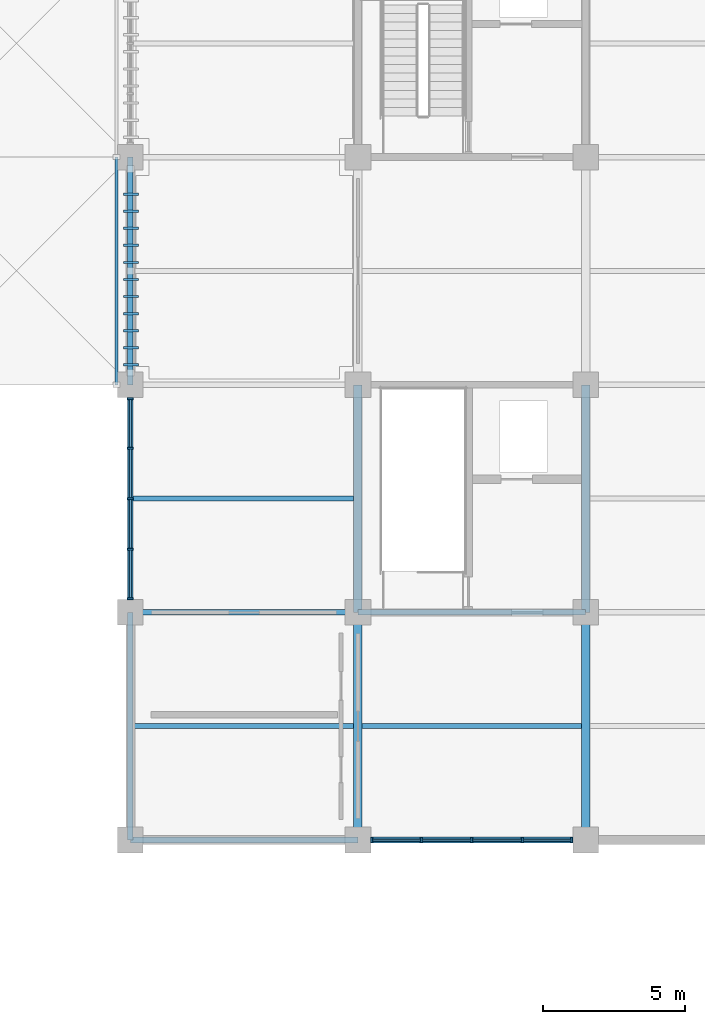
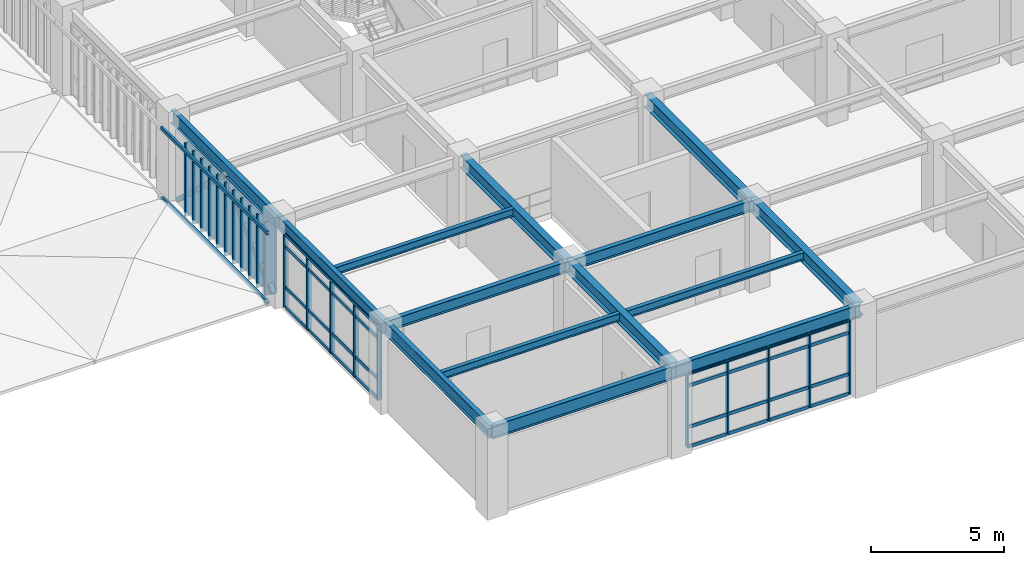
# One storey, part 17 of 118: 57 members, 14 beams, 2 elements without a shape of their own.
"""IFC4 building model written with IfcOpenShell, lengths in metres."""

from ifc_helpers import new_model, si_unit, direction, frame, origin, origin_2d, place, context, subcontext, project, spatial, rectangle, hollow_rectangle, i_section, extrude, material, layer, layer_set, material_profile, profile_set, type_object, element, aggregate, save


model = new_model("IFC4")

# Units and contexts
model_context = context("Model", 3, precision=1e-05, world=origin(), true_north=direction((0.0, 1.0)))
body_context = subcontext(model_context, "Body", "Model", "MODEL_VIEW")
ifc_project = project(units=[si_unit("LENGTHUNIT", "METRE"), si_unit("AREAUNIT", "SQUARE_METRE"), si_unit("VOLUMEUNIT", "CUBIC_METRE"), si_unit("PLANEANGLEUNIT", "RADIAN"), si_unit("MASSUNIT", "GRAM", prefix="KILO")], contexts=[model_context])

# Site, building, storey
site_placement = place(None, origin())
site = spatial("IfcSite", under=ifc_project, at=site_placement, CompositionType="ELEMENT")
building_placement = place(site_placement, origin())
building = spatial("IfcBuilding", under=site, at=building_placement, Name="Haebicheon Civic Stadium", CompositionType="ELEMENT")
storey_placement = place(building_placement, frame((0.0, 0.0, 14.39990234375)))
storey = spatial("IfcBuildingStorey", under=building, at=storey_placement, Name="L04", CompositionType="ELEMENT", Elevation=14.39990234375)

# Beams
ifc_material_1 = material(Name="Steel SM355 (S355)", Category="steel")
ifc_material_profile_1 = material_profile(ifc_material_1, i_section(OverallWidth=0.199951171875, OverallDepth=0.5, WebThickness=0.010009765625, FlangeThickness=0.01611328125, at=origin_2d()), Name="H-500x200x10x16")
ifc_profile_set_1 = profile_set([ifc_material_profile_1], Name="Steel SM355 (S355)")
beam_type_1 = type_object("IfcBeamType", Name="BM-ST-H500", PredefinedType="BEAM", material=ifc_profile_set_1)
for number, where, z_axis, x_axis, name in (
    (1, (24.0, 40.0, 3.690185546875), (1.0, 0.0, 0.0), (0.0, 1.0, 0.0), "L04 beam F/4-5"),
    (2, (32.0, 40.0, 3.690185546875), (1.0, 0.0, 0.0), (0.0, 1.0, 0.0), "L04 beam F/5-6"),
):
    element("IfcBeam", number, at=place(storey_placement, frame(where, z_axis=z_axis, x_axis=x_axis)), inside=storey, type_object=beam_type_1, material=ifc_profile_set_1, Name=name, PredefinedType="BEAM", context=body_context, shape_type="SweptSolid", body=[
        extrude(i_section(OverallWidth=0.199951171875, OverallDepth=0.5, WebThickness=0.010009765625, FlangeThickness=0.01611328125, at=origin_2d()), origin(), (0.0, 0.0, 1.0), 8.0),
    ])
ifc_material_2 = material(Name="Steel SM355 (S355)", Category="steel")
ifc_material_profile_2 = material_profile(ifc_material_2, i_section(OverallWidth=0.300048828125, OverallDepth=0.60009765625, WebThickness=0.011962890625, FlangeThickness=0.02001953125, at=origin_2d()), Name="H-600x300x12x20")
ifc_profile_set_2 = profile_set([ifc_material_profile_2], Name="Steel SM355 (S355)")
beam_type_2 = type_object("IfcBeamType", Name="BM-ST-H600A", PredefinedType="BEAM", material=ifc_profile_set_2)
for number, where, z_axis, x_axis, name in (
    (3, (32.0, 32.0, 3.68017578125), (0.0, 1.0, 0.0), (-1.0, 0.0, 0.0), "L04 girder 5/E-F"),
    (4, (32.0, 40.0, 3.64013671875), (0.0, 1.0, 0.0), (-1.0, 0.0, 0.0), "L04 girder 5/F-G"),
    (5, (40.0, 32.0, 3.68017578125), (0.0, 1.0, 0.0), (-1.0, 0.0, 0.0), "L04 girder 6/E-F"),
    (6, (40.0, 40.0, 3.64013671875), (0.0, 1.0, 0.0), (-1.0, 0.0, 0.0), "L04 girder 6/F-G"),
):
    element("IfcBeam", number, at=place(storey_placement, frame(where, z_axis=z_axis, x_axis=x_axis)), inside=storey, type_object=beam_type_2, material=ifc_profile_set_2, Name=name, PredefinedType="BEAM", context=body_context, shape_type="SweptSolid", body=[
        extrude(i_section(OverallWidth=0.300048828125, OverallDepth=0.60009765625, WebThickness=0.011962890625, FlangeThickness=0.02001953125, at=origin_2d()), origin(), (0.0, 0.0, 1.0), 8.0),
    ])

# Members
ifc_material_3 = material(Name="Steel SM355 (S355)", Category="steel")
ifc_material_profile_3 = material_profile(ifc_material_3, hollow_rectangle(XDim=0.199951171875, YDim=0.199951171875, WallThickness=0.009033203125, at=origin_2d()), Name="RHS-200x200x9.0")
ifc_profile_set_3 = profile_set([ifc_material_profile_3], Name="Steel SM355 (S355)")
member_type_1 = type_object("IfcMemberType", Name="BRC-RHS200", PredefinedType="BRACE", material=ifc_profile_set_3)
for number, where, z_axis, x_axis, name in (
    (7, (24.0, 48.419921875, 0.0400390625), (0.0, 0.735278088986, 0.677765543427), (-1.0, 0.0, 0.0), "BR200 chevron brace L04 03-06 A"),
    (8, (24.0, 55.580078125, 0.0400390625), (0.0, -0.735278088986, 0.677765543427), (1.0, 0.0, 0.0), "BR200 chevron brace L04 03-06 B"),
):
    element("IfcMember", number, at=place(storey_placement, frame(where, z_axis=z_axis, x_axis=x_axis)), inside=storey, type_object=member_type_1, material=ifc_profile_set_3, Name=name, PredefinedType="BRACE", context=body_context, shape_type="SweptSolid", body=[
        extrude(hollow_rectangle(XDim=0.199951171875, YDim=0.199951171875, WallThickness=0.009033203125, at=origin_2d()), origin(), (0.0, 0.0, 1.0), 4.868896484375),
    ])

# Curtain wall, members
ifc_material_4 = material(Name="Anodised aluminium and laminated glass", Category="aluminium")
ifc_layer_1 = layer(ifc_material_4, 0.179931640625, Name="Anodised aluminium and laminated glass")
ifc_layer_set_1 = layer_set([ifc_layer_1], Name="Anodised aluminium and laminated glass")
curtain_wall_type_1 = type_object("IfcCurtainWallType", Name="CW-7100x3330", PredefinedType="NOTDEFINED", material=ifc_layer_set_1)
curtain_wall_1_placement = place(storey_placement, origin())
curtain_wall_1 = element("IfcCurtainWall", 9, at=curtain_wall_1_placement, inside=storey, type_object=curtain_wall_type_1, material=ifc_layer_set_1, Name="L04 unitised curtain wall 105", PredefinedType="NOTDEFINED")
ifc_material_5 = material(Name="Anodised aluminium 6063-T6", Category="aluminium")
ifc_material_profile_4 = material_profile(ifc_material_5, rectangle(XDim=0.070068359375, YDim=0.199951171875, at=origin_2d()), Name="ALU-MULL-70x200")
ifc_profile_set_4 = profile_set([ifc_material_profile_4], Name="Anodised aluminium 6063-T6")
member_type_2 = type_object("IfcMemberType", Name="CWM-200x70", PredefinedType="MULLION", material=ifc_profile_set_4)
member_1_placement = place(storey_placement, frame((24.0, 40.485107421875, 0.0), z_axis=(0.0, 0.0, 1.0), x_axis=(0.0, 1.0, 0.0)))
member_1 = element("IfcMember", 10, at=member_1_placement, type_object=member_type_2, material=ifc_profile_set_4, Name="CW-L04-105 vertical mullion 1", PredefinedType="MULLION", context=body_context, shape_type="SweptSolid", body=[
    extrude(rectangle(XDim=0.070068359375, YDim=0.199951171875, at=origin_2d()), origin(), (0.0, 0.0, 1.0), 3.330078125),
])
member_2_placement = place(storey_placement, frame((24.0, 42.22509765625, 0.0), z_axis=(0.0, 0.0, 1.0), x_axis=(0.0, 1.0, 0.0)))
member_2 = element("IfcMember", 11, at=member_2_placement, type_object=member_type_2, material=ifc_profile_set_4, Name="CW-L04-105 vertical mullion 2", PredefinedType="MULLION", context=body_context, shape_type="SweptSolid", body=[
    extrude(rectangle(XDim=0.070068359375, YDim=0.199951171875, at=origin_2d()), origin(), (0.0, 0.0, 1.0), 3.330078125),
])
member_3_placement = place(storey_placement, frame((24.0, 44.0, 0.0), z_axis=(0.0, 0.0, 1.0), x_axis=(0.0, 1.0, 0.0)))
member_3 = element("IfcMember", 12, at=member_3_placement, type_object=member_type_2, material=ifc_profile_set_4, Name="CW-L04-105 vertical mullion 3", PredefinedType="MULLION", context=body_context, shape_type="SweptSolid", body=[
    extrude(rectangle(XDim=0.070068359375, YDim=0.199951171875, at=origin_2d()), origin(), (0.0, 0.0, 1.0), 3.330078125),
])
member_4_placement = place(storey_placement, frame((24.0, 45.77490234375, 0.0), z_axis=(0.0, 0.0, 1.0), x_axis=(0.0, 1.0, 0.0)))
member_4 = element("IfcMember", 13, at=member_4_placement, type_object=member_type_2, material=ifc_profile_set_4, Name="CW-L04-105 vertical mullion 4", PredefinedType="MULLION", context=body_context, shape_type="SweptSolid", body=[
    extrude(rectangle(XDim=0.070068359375, YDim=0.199951171875, at=origin_2d()), origin(), (0.0, 0.0, 1.0), 3.330078125),
])
member_5_placement = place(storey_placement, frame((24.0, 47.514892578125, 0.0), z_axis=(0.0, 0.0, 1.0), x_axis=(0.0, 1.0, 0.0)))
member_5 = element("IfcMember", 14, at=member_5_placement, type_object=member_type_2, material=ifc_profile_set_4, Name="CW-L04-105 vertical mullion 5", PredefinedType="MULLION", context=body_context, shape_type="SweptSolid", body=[
    extrude(rectangle(XDim=0.070068359375, YDim=0.199951171875, at=origin_2d()), origin(), (0.0, 0.0, 1.0), 3.330078125),
])

ifc_material_6 = material(Name="Anodised aluminium and laminated glass", Category="aluminium")
ifc_layer_2 = layer(ifc_material_6, 0.179931640625, Name="Anodised aluminium and laminated glass")
ifc_layer_set_2 = layer_set([ifc_layer_2], Name="Anodised aluminium and laminated glass")
curtain_wall_type_2 = type_object("IfcCurtainWallType", Name="CW-7100x3350", PredefinedType="NOTDEFINED", material=ifc_layer_set_2)
curtain_wall_2_placement = place(storey_placement, origin())
curtain_wall_2 = element("IfcCurtainWall", 15, at=curtain_wall_2_placement, inside=storey, type_object=curtain_wall_type_2, material=ifc_layer_set_2, Name="L04 unitised curtain wall 113", PredefinedType="NOTDEFINED")
member_6_placement = place(storey_placement, frame((32.485107421875, 32.0, 0.0), z_axis=(0.0, 0.0, 1.0), x_axis=(1.0, 0.0, 0.0)))
member_6 = element("IfcMember", 16, at=member_6_placement, type_object=member_type_2, material=ifc_profile_set_4, Name="CW-L04-113 vertical mullion 1", PredefinedType="MULLION", context=body_context, shape_type="SweptSolid", body=[
    extrude(rectangle(XDim=0.070068359375, YDim=0.199951171875, at=origin_2d()), origin(), (0.0, 0.0, 1.0), 3.35009765625),
])
member_7_placement = place(storey_placement, frame((34.22509765625, 32.0, 0.0), z_axis=(0.0, 0.0, 1.0), x_axis=(1.0, 0.0, 0.0)))
member_7 = element("IfcMember", 17, at=member_7_placement, type_object=member_type_2, material=ifc_profile_set_4, Name="CW-L04-113 vertical mullion 2", PredefinedType="MULLION", context=body_context, shape_type="SweptSolid", body=[
    extrude(rectangle(XDim=0.070068359375, YDim=0.199951171875, at=origin_2d()), origin(), (0.0, 0.0, 1.0), 3.35009765625),
])
member_8_placement = place(storey_placement, frame((36.0, 32.0, 0.0), z_axis=(0.0, 0.0, 1.0), x_axis=(1.0, 0.0, 0.0)))
member_8 = element("IfcMember", 18, at=member_8_placement, type_object=member_type_2, material=ifc_profile_set_4, Name="CW-L04-113 vertical mullion 3", PredefinedType="MULLION", context=body_context, shape_type="SweptSolid", body=[
    extrude(rectangle(XDim=0.070068359375, YDim=0.199951171875, at=origin_2d()), origin(), (0.0, 0.0, 1.0), 3.35009765625),
])
member_9_placement = place(storey_placement, frame((37.77490234375, 32.0, 0.0), z_axis=(0.0, 0.0, 1.0), x_axis=(1.0, 0.0, 0.0)))
member_9 = element("IfcMember", 19, at=member_9_placement, type_object=member_type_2, material=ifc_profile_set_4, Name="CW-L04-113 vertical mullion 4", PredefinedType="MULLION", context=body_context, shape_type="SweptSolid", body=[
    extrude(rectangle(XDim=0.070068359375, YDim=0.199951171875, at=origin_2d()), origin(), (0.0, 0.0, 1.0), 3.35009765625),
])
member_10_placement = place(storey_placement, frame((39.514892578125, 32.0, 0.0), z_axis=(0.0, 0.0, 1.0), x_axis=(1.0, 0.0, 0.0)))
member_10 = element("IfcMember", 20, at=member_10_placement, type_object=member_type_2, material=ifc_profile_set_4, Name="CW-L04-113 vertical mullion 5", PredefinedType="MULLION", context=body_context, shape_type="SweptSolid", body=[
    extrude(rectangle(XDim=0.070068359375, YDim=0.199951171875, at=origin_2d()), origin(), (0.0, 0.0, 1.0), 3.35009765625),
])

# Member
ifc_material_7 = material(Name="Anodised aluminium 6063-T6", Category="aluminium")
ifc_material_profile_5 = material_profile(ifc_material_7, rectangle(XDim=0.070068359375, YDim=0.14990234375, at=origin_2d()), Name="ALU-TRAN-70x150")
ifc_profile_set_5 = profile_set([ifc_material_profile_5], Name="Anodised aluminium 6063-T6")
member_type_3 = type_object("IfcMemberType", Name="CWT-150x70", PredefinedType="NOTDEFINED", material=ifc_profile_set_5)
member_11_placement = place(storey_placement, frame((24.0, 40.52001953125, 0.0), z_axis=(0.0, 1.0, 0.0), x_axis=(-1.0, 0.0, 0.0)))
member_11 = element("IfcMember", 21, at=member_11_placement, type_object=member_type_3, material=ifc_profile_set_5, Name="CW-L04-105 horizontal transom 1.1", ObjectType="TRANSOM", PredefinedType="USERDEFINED", context=body_context, shape_type="SweptSolid", body=[
    extrude(rectangle(XDim=0.070068359375, YDim=0.14990234375, at=origin_2d()), origin(), (0.0, 0.0, 1.0), 1.669921875),
])

member_12_placement = place(storey_placement, frame((24.0, 40.52001953125, 0.900146484375), z_axis=(0.0, 1.0, 0.0), x_axis=(-1.0, 0.0, 0.0)))
member_12 = element("IfcMember", 22, at=member_12_placement, type_object=member_type_3, material=ifc_profile_set_5, Name="CW-L04-105 horizontal transom 1.2", ObjectType="TRANSOM", PredefinedType="USERDEFINED", context=body_context, shape_type="SweptSolid", body=[
    extrude(rectangle(XDim=0.070068359375, YDim=0.14990234375, at=origin_2d()), origin(), (0.0, 0.0, 1.0), 1.669921875),
])

member_13_placement = place(storey_placement, frame((24.0, 40.52001953125, 2.780029296875), z_axis=(0.0, 1.0, 0.0), x_axis=(-1.0, 0.0, 0.0)))
member_13 = element("IfcMember", 23, at=member_13_placement, type_object=member_type_3, material=ifc_profile_set_5, Name="CW-L04-105 horizontal transom 1.3", ObjectType="TRANSOM", PredefinedType="USERDEFINED", context=body_context, shape_type="SweptSolid", body=[
    extrude(rectangle(XDim=0.070068359375, YDim=0.14990234375, at=origin_2d()), origin(), (0.0, 0.0, 1.0), 1.669921875),
])

member_14_placement = place(storey_placement, frame((24.0, 40.52001953125, 3.330078125), z_axis=(0.0, 1.0, 0.0), x_axis=(-1.0, 0.0, 0.0)))
member_14 = element("IfcMember", 24, at=member_14_placement, type_object=member_type_3, material=ifc_profile_set_5, Name="CW-L04-105 horizontal transom 1.4", ObjectType="TRANSOM", PredefinedType="USERDEFINED", context=body_context, shape_type="SweptSolid", body=[
    extrude(rectangle(XDim=0.070068359375, YDim=0.14990234375, at=origin_2d()), origin(), (0.0, 0.0, 1.0), 1.669921875),
])

member_15_placement = place(storey_placement, frame((24.0, 42.260009765625, 0.0), z_axis=(0.0, 1.0, 0.0), x_axis=(-1.0, 0.0, 0.0)))
member_15 = element("IfcMember", 25, at=member_15_placement, type_object=member_type_3, material=ifc_profile_set_5, Name="CW-L04-105 horizontal transom 2.1", ObjectType="TRANSOM", PredefinedType="USERDEFINED", context=body_context, shape_type="SweptSolid", body=[
    extrude(rectangle(XDim=0.070068359375, YDim=0.14990234375, at=origin_2d()), origin(), (0.0, 0.0, 1.0), 1.705078125),
])

member_16_placement = place(storey_placement, frame((24.0, 42.260009765625, 0.900146484375), z_axis=(0.0, 1.0, 0.0), x_axis=(-1.0, 0.0, 0.0)))
member_16 = element("IfcMember", 26, at=member_16_placement, type_object=member_type_3, material=ifc_profile_set_5, Name="CW-L04-105 horizontal transom 2.2", ObjectType="TRANSOM", PredefinedType="USERDEFINED", context=body_context, shape_type="SweptSolid", body=[
    extrude(rectangle(XDim=0.070068359375, YDim=0.14990234375, at=origin_2d()), origin(), (0.0, 0.0, 1.0), 1.705078125),
])

member_17_placement = place(storey_placement, frame((24.0, 42.260009765625, 2.780029296875), z_axis=(0.0, 1.0, 0.0), x_axis=(-1.0, 0.0, 0.0)))
member_17 = element("IfcMember", 27, at=member_17_placement, type_object=member_type_3, material=ifc_profile_set_5, Name="CW-L04-105 horizontal transom 2.3", ObjectType="TRANSOM", PredefinedType="USERDEFINED", context=body_context, shape_type="SweptSolid", body=[
    extrude(rectangle(XDim=0.070068359375, YDim=0.14990234375, at=origin_2d()), origin(), (0.0, 0.0, 1.0), 1.705078125),
])

member_18_placement = place(storey_placement, frame((24.0, 42.260009765625, 3.330078125), z_axis=(0.0, 1.0, 0.0), x_axis=(-1.0, 0.0, 0.0)))
member_18 = element("IfcMember", 28, at=member_18_placement, type_object=member_type_3, material=ifc_profile_set_5, Name="CW-L04-105 horizontal transom 2.4", ObjectType="TRANSOM", PredefinedType="USERDEFINED", context=body_context, shape_type="SweptSolid", body=[
    extrude(rectangle(XDim=0.070068359375, YDim=0.14990234375, at=origin_2d()), origin(), (0.0, 0.0, 1.0), 1.705078125),
])

member_19_placement = place(storey_placement, frame((24.0, 44.034912109375, 0.0), z_axis=(0.0, 1.0, 0.0), x_axis=(-1.0, 0.0, 0.0)))
member_19 = element("IfcMember", 29, at=member_19_placement, type_object=member_type_3, material=ifc_profile_set_5, Name="CW-L04-105 horizontal transom 3.1", ObjectType="TRANSOM", PredefinedType="USERDEFINED", context=body_context, shape_type="SweptSolid", body=[
    extrude(rectangle(XDim=0.070068359375, YDim=0.14990234375, at=origin_2d()), origin(), (0.0, 0.0, 1.0), 1.705078125),
])

member_20_placement = place(storey_placement, frame((24.0, 44.034912109375, 0.900146484375), z_axis=(0.0, 1.0, 0.0), x_axis=(-1.0, 0.0, 0.0)))
member_20 = element("IfcMember", 30, at=member_20_placement, type_object=member_type_3, material=ifc_profile_set_5, Name="CW-L04-105 horizontal transom 3.2", ObjectType="TRANSOM", PredefinedType="USERDEFINED", context=body_context, shape_type="SweptSolid", body=[
    extrude(rectangle(XDim=0.070068359375, YDim=0.14990234375, at=origin_2d()), origin(), (0.0, 0.0, 1.0), 1.705078125),
])

member_21_placement = place(storey_placement, frame((24.0, 44.034912109375, 2.780029296875), z_axis=(0.0, 1.0, 0.0), x_axis=(-1.0, 0.0, 0.0)))
member_21 = element("IfcMember", 31, at=member_21_placement, type_object=member_type_3, material=ifc_profile_set_5, Name="CW-L04-105 horizontal transom 3.3", ObjectType="TRANSOM", PredefinedType="USERDEFINED", context=body_context, shape_type="SweptSolid", body=[
    extrude(rectangle(XDim=0.070068359375, YDim=0.14990234375, at=origin_2d()), origin(), (0.0, 0.0, 1.0), 1.705078125),
])

member_22_placement = place(storey_placement, frame((24.0, 44.034912109375, 3.330078125), z_axis=(0.0, 1.0, 0.0), x_axis=(-1.0, 0.0, 0.0)))
member_22 = element("IfcMember", 32, at=member_22_placement, type_object=member_type_3, material=ifc_profile_set_5, Name="CW-L04-105 horizontal transom 3.4", ObjectType="TRANSOM", PredefinedType="USERDEFINED", context=body_context, shape_type="SweptSolid", body=[
    extrude(rectangle(XDim=0.070068359375, YDim=0.14990234375, at=origin_2d()), origin(), (0.0, 0.0, 1.0), 1.705078125),
])

member_23_placement = place(storey_placement, frame((24.0, 45.81005859375, 0.0), z_axis=(0.0, 1.0, 0.0), x_axis=(-1.0, 0.0, 0.0)))
member_23 = element("IfcMember", 33, at=member_23_placement, type_object=member_type_3, material=ifc_profile_set_5, Name="CW-L04-105 horizontal transom 4.1", ObjectType="TRANSOM", PredefinedType="USERDEFINED", context=body_context, shape_type="SweptSolid", body=[
    extrude(rectangle(XDim=0.070068359375, YDim=0.14990234375, at=origin_2d()), origin(), (0.0, 0.0, 1.0), 1.669921875),
])

member_24_placement = place(storey_placement, frame((24.0, 45.81005859375, 0.900146484375), z_axis=(0.0, 1.0, 0.0), x_axis=(-1.0, 0.0, 0.0)))
member_24 = element("IfcMember", 34, at=member_24_placement, type_object=member_type_3, material=ifc_profile_set_5, Name="CW-L04-105 horizontal transom 4.2", ObjectType="TRANSOM", PredefinedType="USERDEFINED", context=body_context, shape_type="SweptSolid", body=[
    extrude(rectangle(XDim=0.070068359375, YDim=0.14990234375, at=origin_2d()), origin(), (0.0, 0.0, 1.0), 1.669921875),
])

member_25_placement = place(storey_placement, frame((24.0, 45.81005859375, 2.780029296875), z_axis=(0.0, 1.0, 0.0), x_axis=(-1.0, 0.0, 0.0)))
member_25 = element("IfcMember", 35, at=member_25_placement, type_object=member_type_3, material=ifc_profile_set_5, Name="CW-L04-105 horizontal transom 4.3", ObjectType="TRANSOM", PredefinedType="USERDEFINED", context=body_context, shape_type="SweptSolid", body=[
    extrude(rectangle(XDim=0.070068359375, YDim=0.14990234375, at=origin_2d()), origin(), (0.0, 0.0, 1.0), 1.669921875),
])

member_26_placement = place(storey_placement, frame((24.0, 45.81005859375, 3.330078125), z_axis=(0.0, 1.0, 0.0), x_axis=(-1.0, 0.0, 0.0)))
member_26 = element("IfcMember", 36, at=member_26_placement, type_object=member_type_3, material=ifc_profile_set_5, Name="CW-L04-105 horizontal transom 4.4", ObjectType="TRANSOM", PredefinedType="USERDEFINED", context=body_context, shape_type="SweptSolid", body=[
    extrude(rectangle(XDim=0.070068359375, YDim=0.14990234375, at=origin_2d()), origin(), (0.0, 0.0, 1.0), 1.669921875),
])

aggregate(curtain_wall_1, [member_1, member_2, member_3, member_4, member_5, member_11, member_12, member_13, member_14, member_15, member_16, member_17, member_18, member_19, member_20, member_21, member_22, member_23, member_24, member_25, member_26])

member_27_placement = place(storey_placement, frame((32.52001953125, 32.0, 0.0), z_axis=(1.0, 0.0, 0.0), x_axis=(0.0, 1.0, 0.0)))
member_27 = element("IfcMember", 37, at=member_27_placement, type_object=member_type_3, material=ifc_profile_set_5, Name="CW-L04-113 horizontal transom 1.1", ObjectType="TRANSOM", PredefinedType="USERDEFINED", context=body_context, shape_type="SweptSolid", body=[
    extrude(rectangle(XDim=0.070068359375, YDim=0.14990234375, at=origin_2d()), origin(), (0.0, 0.0, 1.0), 1.669921875),
])

member_28_placement = place(storey_placement, frame((32.52001953125, 32.0, 0.900146484375), z_axis=(1.0, 0.0, 0.0), x_axis=(0.0, 1.0, 0.0)))
member_28 = element("IfcMember", 38, at=member_28_placement, type_object=member_type_3, material=ifc_profile_set_5, Name="CW-L04-113 horizontal transom 1.2", ObjectType="TRANSOM", PredefinedType="USERDEFINED", context=body_context, shape_type="SweptSolid", body=[
    extrude(rectangle(XDim=0.070068359375, YDim=0.14990234375, at=origin_2d()), origin(), (0.0, 0.0, 1.0), 1.669921875),
])

member_29_placement = place(storey_placement, frame((32.52001953125, 32.0, 2.800048828125), z_axis=(1.0, 0.0, 0.0), x_axis=(0.0, 1.0, 0.0)))
member_29 = element("IfcMember", 39, at=member_29_placement, type_object=member_type_3, material=ifc_profile_set_5, Name="CW-L04-113 horizontal transom 1.3", ObjectType="TRANSOM", PredefinedType="USERDEFINED", context=body_context, shape_type="SweptSolid", body=[
    extrude(rectangle(XDim=0.070068359375, YDim=0.14990234375, at=origin_2d()), origin(), (0.0, 0.0, 1.0), 1.669921875),
])

member_30_placement = place(storey_placement, frame((32.52001953125, 32.0, 3.35009765625), z_axis=(1.0, 0.0, 0.0), x_axis=(0.0, 1.0, 0.0)))
member_30 = element("IfcMember", 40, at=member_30_placement, type_object=member_type_3, material=ifc_profile_set_5, Name="CW-L04-113 horizontal transom 1.4", ObjectType="TRANSOM", PredefinedType="USERDEFINED", context=body_context, shape_type="SweptSolid", body=[
    extrude(rectangle(XDim=0.070068359375, YDim=0.14990234375, at=origin_2d()), origin(), (0.0, 0.0, 1.0), 1.669921875),
])

member_31_placement = place(storey_placement, frame((34.260009765625, 32.0, 0.0), z_axis=(1.0, 0.0, 0.0), x_axis=(0.0, 1.0, 0.0)))
member_31 = element("IfcMember", 41, at=member_31_placement, type_object=member_type_3, material=ifc_profile_set_5, Name="CW-L04-113 horizontal transom 2.1", ObjectType="TRANSOM", PredefinedType="USERDEFINED", context=body_context, shape_type="SweptSolid", body=[
    extrude(rectangle(XDim=0.070068359375, YDim=0.14990234375, at=origin_2d()), origin(), (0.0, 0.0, 1.0), 1.705078125),
])

member_32_placement = place(storey_placement, frame((34.260009765625, 32.0, 0.900146484375), z_axis=(1.0, 0.0, 0.0), x_axis=(0.0, 1.0, 0.0)))
member_32 = element("IfcMember", 42, at=member_32_placement, type_object=member_type_3, material=ifc_profile_set_5, Name="CW-L04-113 horizontal transom 2.2", ObjectType="TRANSOM", PredefinedType="USERDEFINED", context=body_context, shape_type="SweptSolid", body=[
    extrude(rectangle(XDim=0.070068359375, YDim=0.14990234375, at=origin_2d()), origin(), (0.0, 0.0, 1.0), 1.705078125),
])

member_33_placement = place(storey_placement, frame((34.260009765625, 32.0, 2.800048828125), z_axis=(1.0, 0.0, 0.0), x_axis=(0.0, 1.0, 0.0)))
member_33 = element("IfcMember", 43, at=member_33_placement, type_object=member_type_3, material=ifc_profile_set_5, Name="CW-L04-113 horizontal transom 2.3", ObjectType="TRANSOM", PredefinedType="USERDEFINED", context=body_context, shape_type="SweptSolid", body=[
    extrude(rectangle(XDim=0.070068359375, YDim=0.14990234375, at=origin_2d()), origin(), (0.0, 0.0, 1.0), 1.705078125),
])

member_34_placement = place(storey_placement, frame((34.260009765625, 32.0, 3.35009765625), z_axis=(1.0, 0.0, 0.0), x_axis=(0.0, 1.0, 0.0)))
member_34 = element("IfcMember", 44, at=member_34_placement, type_object=member_type_3, material=ifc_profile_set_5, Name="CW-L04-113 horizontal transom 2.4", ObjectType="TRANSOM", PredefinedType="USERDEFINED", context=body_context, shape_type="SweptSolid", body=[
    extrude(rectangle(XDim=0.070068359375, YDim=0.14990234375, at=origin_2d()), origin(), (0.0, 0.0, 1.0), 1.705078125),
])

member_35_placement = place(storey_placement, frame((36.034912109375, 32.0, 0.0), z_axis=(1.0, 0.0, 0.0), x_axis=(0.0, 1.0, 0.0)))
member_35 = element("IfcMember", 45, at=member_35_placement, type_object=member_type_3, material=ifc_profile_set_5, Name="CW-L04-113 horizontal transom 3.1", ObjectType="TRANSOM", PredefinedType="USERDEFINED", context=body_context, shape_type="SweptSolid", body=[
    extrude(rectangle(XDim=0.070068359375, YDim=0.14990234375, at=origin_2d()), origin(), (0.0, 0.0, 1.0), 1.705078125),
])

member_36_placement = place(storey_placement, frame((36.034912109375, 32.0, 0.900146484375), z_axis=(1.0, 0.0, 0.0), x_axis=(0.0, 1.0, 0.0)))
member_36 = element("IfcMember", 46, at=member_36_placement, type_object=member_type_3, material=ifc_profile_set_5, Name="CW-L04-113 horizontal transom 3.2", ObjectType="TRANSOM", PredefinedType="USERDEFINED", context=body_context, shape_type="SweptSolid", body=[
    extrude(rectangle(XDim=0.070068359375, YDim=0.14990234375, at=origin_2d()), origin(), (0.0, 0.0, 1.0), 1.705078125),
])

member_37_placement = place(storey_placement, frame((36.034912109375, 32.0, 2.800048828125), z_axis=(1.0, 0.0, 0.0), x_axis=(0.0, 1.0, 0.0)))
member_37 = element("IfcMember", 47, at=member_37_placement, type_object=member_type_3, material=ifc_profile_set_5, Name="CW-L04-113 horizontal transom 3.3", ObjectType="TRANSOM", PredefinedType="USERDEFINED", context=body_context, shape_type="SweptSolid", body=[
    extrude(rectangle(XDim=0.070068359375, YDim=0.14990234375, at=origin_2d()), origin(), (0.0, 0.0, 1.0), 1.705078125),
])

member_38_placement = place(storey_placement, frame((36.034912109375, 32.0, 3.35009765625), z_axis=(1.0, 0.0, 0.0), x_axis=(0.0, 1.0, 0.0)))
member_38 = element("IfcMember", 48, at=member_38_placement, type_object=member_type_3, material=ifc_profile_set_5, Name="CW-L04-113 horizontal transom 3.4", ObjectType="TRANSOM", PredefinedType="USERDEFINED", context=body_context, shape_type="SweptSolid", body=[
    extrude(rectangle(XDim=0.070068359375, YDim=0.14990234375, at=origin_2d()), origin(), (0.0, 0.0, 1.0), 1.705078125),
])

member_39_placement = place(storey_placement, frame((37.81005859375, 32.0, 0.0), z_axis=(1.0, 0.0, 0.0), x_axis=(0.0, 1.0, 0.0)))
member_39 = element("IfcMember", 49, at=member_39_placement, type_object=member_type_3, material=ifc_profile_set_5, Name="CW-L04-113 horizontal transom 4.1", ObjectType="TRANSOM", PredefinedType="USERDEFINED", context=body_context, shape_type="SweptSolid", body=[
    extrude(rectangle(XDim=0.070068359375, YDim=0.14990234375, at=origin_2d()), origin(), (0.0, 0.0, 1.0), 1.669921875),
])

member_40_placement = place(storey_placement, frame((37.81005859375, 32.0, 0.900146484375), z_axis=(1.0, 0.0, 0.0), x_axis=(0.0, 1.0, 0.0)))
member_40 = element("IfcMember", 50, at=member_40_placement, type_object=member_type_3, material=ifc_profile_set_5, Name="CW-L04-113 horizontal transom 4.2", ObjectType="TRANSOM", PredefinedType="USERDEFINED", context=body_context, shape_type="SweptSolid", body=[
    extrude(rectangle(XDim=0.070068359375, YDim=0.14990234375, at=origin_2d()), origin(), (0.0, 0.0, 1.0), 1.669921875),
])

member_41_placement = place(storey_placement, frame((37.81005859375, 32.0, 2.800048828125), z_axis=(1.0, 0.0, 0.0), x_axis=(0.0, 1.0, 0.0)))
member_41 = element("IfcMember", 51, at=member_41_placement, type_object=member_type_3, material=ifc_profile_set_5, Name="CW-L04-113 horizontal transom 4.3", ObjectType="TRANSOM", PredefinedType="USERDEFINED", context=body_context, shape_type="SweptSolid", body=[
    extrude(rectangle(XDim=0.070068359375, YDim=0.14990234375, at=origin_2d()), origin(), (0.0, 0.0, 1.0), 1.669921875),
])

member_42_placement = place(storey_placement, frame((37.81005859375, 32.0, 3.35009765625), z_axis=(1.0, 0.0, 0.0), x_axis=(0.0, 1.0, 0.0)))
member_42 = element("IfcMember", 52, at=member_42_placement, type_object=member_type_3, material=ifc_profile_set_5, Name="CW-L04-113 horizontal transom 4.4", ObjectType="TRANSOM", PredefinedType="USERDEFINED", context=body_context, shape_type="SweptSolid", body=[
    extrude(rectangle(XDim=0.070068359375, YDim=0.14990234375, at=origin_2d()), origin(), (0.0, 0.0, 1.0), 1.669921875),
])

aggregate(curtain_wall_2, [member_6, member_7, member_8, member_9, member_10, member_27, member_28, member_29, member_30, member_31, member_32, member_33, member_34, member_35, member_36, member_37, member_38, member_39, member_40, member_41, member_42])

# Beams
ifc_material_8 = material(Name="Steel SM355 (S355)", Category="steel")
ifc_material_profile_6 = material_profile(ifc_material_8, i_section(OverallWidth=0.175048828125, OverallDepth=0.35009765625, WebThickness=0.007080078125, FlangeThickness=0.010986328125, at=origin_2d()), Name="H-350x175x7x11")
ifc_profile_set_6 = profile_set([ifc_material_profile_6], Name="Steel SM355 (S355)")
beam_type_3 = type_object("IfcBeamType", Name="JST-ST-H350", PredefinedType="JOIST", material=ifc_profile_set_6)
for number, where, z_axis, x_axis, name in (
    (53, (24.10009765625, 36.0, 3.80517578125), (1.0, 0.0, 0.0), (0.0, 1.0, 0.0), "L04 secondary joist 03-04"),
    (54, (24.10009765625, 44.0, 3.76513671875), (1.0, 0.0, 0.0), (0.0, 1.0, 0.0), "L04 secondary joist 03-05"),
):
    element("IfcBeam", number, at=place(storey_placement, frame(where, z_axis=z_axis, x_axis=x_axis)), inside=storey, type_object=beam_type_3, material=ifc_profile_set_6, Name=name, PredefinedType="JOIST", context=body_context, shape_type="SweptSolid", body=[
        extrude(i_section(OverallWidth=0.175048828125, OverallDepth=0.35009765625, WebThickness=0.007080078125, FlangeThickness=0.010986328125, at=origin_2d()), origin(), (0.0, 0.0, 1.0), 7.75),
    ])
beam_placement = place(storey_placement, frame((32.14990234375, 36.0, 3.80517578125), z_axis=(1.0, 0.0, 0.0), x_axis=(0.0, 1.0, 0.0)))
element("IfcBeam", 55, at=beam_placement, inside=storey, type_object=beam_type_3, material=ifc_profile_set_6, Name="L04 secondary joist 04-04", PredefinedType="JOIST", context=body_context, shape_type="SweptSolid", body=[
    extrude(i_section(OverallWidth=0.175048828125, OverallDepth=0.35009765625, WebThickness=0.007080078125, FlangeThickness=0.010986328125, at=origin_2d()), origin(), (0.0, 0.0, 1.0), 7.7001953125),
])

# Members
ifc_material_9 = material(Name="Acetylated timber GL28h", Category="wood")
ifc_material_profile_7 = material_profile(ifc_material_9, rectangle(XDim=0.080078125, YDim=0.52001953125, at=origin_2d()), Name="TMB-LOUV-80x520")
ifc_profile_set_7 = profile_set([ifc_material_profile_7], Name="Acetylated timber GL28h")
member_type_4 = type_object("IfcMemberType", Name="LVR-TIM-520x80", PredefinedType="PLATE", material=ifc_profile_set_7)
for number, where, z_axis, x_axis, name in (
    (56, (24.02001953125, 48.699951171875, -0.119873046875), (0.0, 0.0, 1.0), (0.0, 1.0, 0.0), "SCR-WEST L04 acetylated timber storm louvre fin 1.1"),
    (57, (24.02001953125, 49.300048828125, -0.119873046875), (0.0, 0.0, 1.0), (0.0, 1.0, 0.0), "SCR-WEST L04 acetylated timber storm louvre fin 1.2"),
    (58, (24.02001953125, 49.89990234375, -0.119873046875), (0.0, 0.0, 1.0), (0.0, 1.0, 0.0), "SCR-WEST L04 acetylated timber storm louvre fin 1.3"),
    (59, (24.02001953125, 50.5, -0.119873046875), (0.0, 0.0, 1.0), (0.0, 1.0, 0.0), "SCR-WEST L04 acetylated timber storm louvre fin 1.4"),
    (60, (24.02001953125, 51.10009765625, -0.119873046875), (0.0, 0.0, 1.0), (0.0, 1.0, 0.0), "SCR-WEST L04 acetylated timber storm louvre fin 1.5"),
    (61, (24.02001953125, 51.699951171875, -0.119873046875), (0.0, 0.0, 1.0), (0.0, 1.0, 0.0), "SCR-WEST L04 acetylated timber storm louvre fin 1.6"),
    (62, (24.02001953125, 52.300048828125, -0.119873046875), (0.0, 0.0, 1.0), (0.0, 1.0, 0.0), "SCR-WEST L04 acetylated timber storm louvre fin 1.7"),
    (63, (24.02001953125, 52.89990234375, -0.119873046875), (0.0, 0.0, 1.0), (0.0, 1.0, 0.0), "SCR-WEST L04 acetylated timber storm louvre fin 1.8"),
    (64, (24.02001953125, 53.5, -0.119873046875), (0.0, 0.0, 1.0), (0.0, 1.0, 0.0), "SCR-WEST L04 acetylated timber storm louvre fin 1.9"),
    (65, (24.02001953125, 54.10009765625, -0.119873046875), (0.0, 0.0, 1.0), (0.0, 1.0, 0.0), "SCR-WEST L04 acetylated timber storm louvre fin 1.10"),
    (66, (24.02001953125, 54.699951171875, -0.119873046875), (0.0, 0.0, 1.0), (0.0, 1.0, 0.0), "SCR-WEST L04 acetylated timber storm louvre fin 1.11"),
):
    element("IfcMember", number, at=place(storey_placement, frame(where, z_axis=z_axis, x_axis=x_axis)), inside=storey, type_object=member_type_4, material=ifc_profile_set_7, Name=name, PredefinedType="PLATE", context=body_context, shape_type="SweptSolid", body=[
        extrude(rectangle(XDim=0.080078125, YDim=0.52001953125, at=origin_2d()), origin(), (0.0, 0.0, 1.0), 3.369873046875),
    ])

# Beams
ifc_material_10 = material(Name="Steel SM355 (S355)", Category="steel")
ifc_material_profile_8 = material_profile(ifc_material_10, i_section(OverallWidth=0.199951171875, OverallDepth=0.60009765625, WebThickness=0.010986328125, FlangeThickness=0.01708984375, at=origin_2d()), Name="H-600x200x11x17")
ifc_profile_set_8 = profile_set([ifc_material_profile_8], Name="Steel SM355 (S355)")
beam_type_4 = type_object("IfcBeamType", Name="SPD-ST-H600B", PredefinedType="SPANDREL", material=ifc_profile_set_8)
for number, where, z_axis, x_axis, name in (
    (67, (24.0, 32.0, 3.68017578125), (0.0, 1.0, 0.0), (-1.0, 0.0, 0.0), "L04 girder 4/E-F"),
    (68, (24.0, 40.0, 3.64013671875), (0.0, 1.0, 0.0), (-1.0, 0.0, 0.0), "L04 girder 4/F-G"),
    (69, (24.0, 48.0, 3.64013671875), (0.0, 1.0, 0.0), (-1.0, 0.0, 0.0), "L04 girder 4/G-H"),
    (70, (24.0, 32.0, 3.68017578125), (1.0, 0.0, 0.0), (0.0, 1.0, 0.0), "L04 beam E/4-5"),
    (71, (32.0, 32.0, 3.68017578125), (1.0, 0.0, 0.0), (0.0, 1.0, 0.0), "L04 beam E/5-6"),
):
    element("IfcBeam", number, at=place(storey_placement, frame(where, z_axis=z_axis, x_axis=x_axis)), inside=storey, type_object=beam_type_4, material=ifc_profile_set_8, Name=name, PredefinedType="SPANDREL", context=body_context, shape_type="SweptSolid", body=[
        extrude(i_section(OverallWidth=0.199951171875, OverallDepth=0.60009765625, WebThickness=0.010986328125, FlangeThickness=0.01708984375, at=origin_2d()), origin(), (0.0, 0.0, 1.0), 8.0),
    ])

# Members
ifc_material_11 = material(Name="Steel SM355 (S355)", Category="steel")
ifc_material_profile_9 = material_profile(ifc_material_11, hollow_rectangle(XDim=0.10009765625, YDim=0.14990234375, WallThickness=0.006103515625, at=origin_2d()), Name="RHS-150x100x6.0")
ifc_profile_set_9 = profile_set([ifc_material_profile_9], Name="Steel SM355 (S355)")
member_type_5 = type_object("IfcMemberType", Name="SUB-RHS150", PredefinedType="STRINGER", material=ifc_profile_set_9)
for number, where, z_axis, x_axis, name in (
    (72, (23.510009765625, 48.0, 0.06005859375), (0.0, 1.0, 0.0), (-1.0, 0.0, 0.0), "SCR-WEST L04 storm-louvre bottom carrier rail 1"),
    (73, (23.510009765625, 48.0, 3.25), (0.0, 1.0, 0.0), (-1.0, 0.0, 0.0), "SCR-WEST L04 storm-louvre top carrier rail 1"),
):
    element("IfcMember", number, at=place(storey_placement, frame(where, z_axis=z_axis, x_axis=x_axis)), inside=storey, type_object=member_type_5, material=ifc_profile_set_9, Name=name, PredefinedType="STRINGER", context=body_context, shape_type="SweptSolid", body=[
        extrude(hollow_rectangle(XDim=0.10009765625, YDim=0.14990234375, WallThickness=0.006103515625, at=origin_2d()), origin(), (0.0, 0.0, 1.0), 8.0),
    ])

save(model, "model.ifc")
